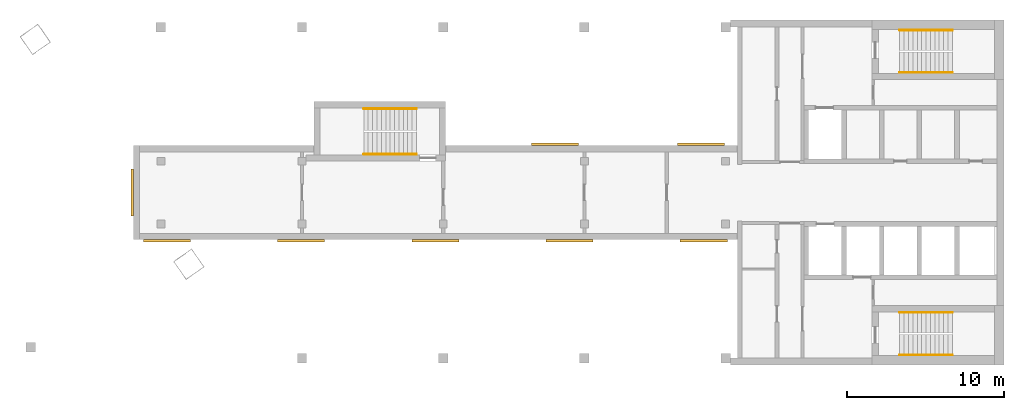
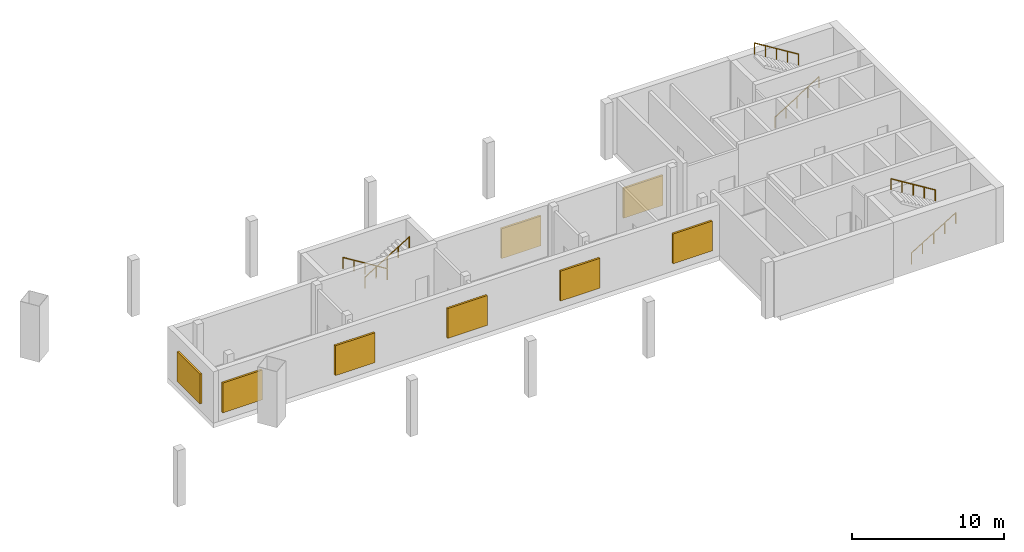
# One storey, part 4 of 4: 8 coverings, 6 railings.
"""IFC4 building model written with IfcOpenShell, lengths in metres."""

from ifc_helpers import new_model, si_unit, direction, frame, origin, origin_2d, place, context, subcontext, project, spatial, rectangle, circle, extrude, material, material_profile, profile_set, type_object, element, save


model = new_model("IFC4")

# Units and contexts
model_context = context("Model", 3, precision=1e-05, world=origin(), true_north=direction((0.0, 1.0)))
body_context = subcontext(model_context, "Body", "Model", "MODEL_VIEW")
ifc_project = project(units=[si_unit("LENGTHUNIT", "METRE"), si_unit("AREAUNIT", "SQUARE_METRE"), si_unit("VOLUMEUNIT", "CUBIC_METRE"), si_unit("PLANEANGLEUNIT", "RADIAN"), si_unit("MASSUNIT", "GRAM", prefix="KILO")], contexts=[model_context])

# Site, building, storey
site_placement = place(None, origin())
site = spatial("IfcSite", under=ifc_project, at=site_placement, CompositionType="ELEMENT")
building_placement = place(site_placement, origin())
building = spatial("IfcBuilding", under=site, at=building_placement, Name="Skarvind Civic Tower", CompositionType="ELEMENT")
storey_placement = place(building_placement, frame((0.0, 0.0, 282.0)))
storey = spatial("IfcBuildingStorey", under=building, at=storey_placement, Name="L67", CompositionType="ELEMENT", Elevation=282.0)

# Coverings
ifc_material_1 = material(Name="Anodised aluminium louvre", Category="aluminium")
ifc_material_profile = material_profile(ifc_material_1, rectangle(XDim=3.0, YDim=2.39990234375, at=origin_2d()), Name="LOUVRE 3000 x 2400")
ifc_profile_set = profile_set([ifc_material_profile], Name="Anodised aluminium louvre")
covering_type = type_object("IfcCoveringType", Name="LV1 PLANT LOUVRE 150", PredefinedType="CLADDING", material=ifc_profile_set)
for number, where, z_axis, x_axis, name in (
    (1, (52.5, 128.0, 1.89990234375), (-1.0, 0.0, 0.0), (0.0, -1.0, 0.0), "PLANT LOUVRE"),
    (2, (88.861083984375, 125.0, 1.89990234375), (0.0, -1.0, 0.0), (1.0, 0.0, 0.0), "PLANT LOUVRE"),
    (3, (80.305419921875, 125.0, 1.89990234375), (0.0, -1.0, 0.0), (1.0, 0.0, 0.0), "PLANT LOUVRE"),
    (4, (71.75, 125.0, 1.89990234375), (0.0, -1.0, 0.0), (1.0, 0.0, 0.0), "PLANT LOUVRE"),
    (5, (63.1943359375, 125.0, 1.89990234375), (0.0, -1.0, 0.0), (1.0, 0.0, 0.0), "PLANT LOUVRE"),
    (6, (54.638916015625, 125.0, 1.89990234375), (0.0, -1.0, 0.0), (1.0, 0.0, 0.0), "PLANT LOUVRE"),
    (7, (79.375, 131.0, 1.89990234375), (0.0, 1.0, 0.0), (-1.0, 0.0, 0.0), "PLANT LOUVRE"),
    (8, (88.675048828125, 131.0, 1.89990234375), (0.0, 1.0, 0.0), (-1.0, 0.0, 0.0), "PLANT LOUVRE"),
):
    element("IfcCovering", number, at=place(storey_placement, frame(where, z_axis=z_axis, x_axis=x_axis)), inside=storey, type_object=covering_type, Name=name, PredefinedType="CLADDING", context=body_context, shape_type="SweptSolid", body=[
        extrude(rectangle(XDim=3.0, YDim=2.39990234375, at=origin_2d()), origin(), (0.0, 0.0, 1.0), 0.14990234375),
    ])

# Railings
ifc_material_2 = material(Name="Painted steel handrail", Category="steel")
railing_type = type_object("IfcRailingType", Name="Stair handrail 900", PredefinedType="HANDRAIL", material=ifc_material_2)
railing_1_placement = place(storey_placement, frame((101.35009765625, 135.64990234375, 0.173095703125)))
element("IfcRailing", 9, at=railing_1_placement, inside=storey, type_object=railing_type, Name="Stair handrail", PredefinedType="HANDRAIL", context=body_context, shape_type="SweptSolid", body=[
    extrude(circle(Radius=0.02392578125, at=origin_2d()), frame((0.0, 0.0, 0.8759765625), z_axis=(0.850606129759, 0.0, 0.525803396734), x_axis=(0.0, 1.0, 0.0)), (0.0, 0.0, 1.0), 3.949951171875),
    extrude(circle(Radius=0.02099609375, at=origin_2d()), origin(), (0.0, 0.0, 1.0), 0.851806640625),
    extrude(circle(Radius=0.02099609375, at=origin_2d()), frame((0.83984375, 0.0, 0.519287109375)), (0.0, 0.0, 1.0), 0.851806640625),
    extrude(circle(Radius=0.02099609375, at=origin_2d()), frame((1.679931640625, 0.0, 1.03857421875)), (0.0, 0.0, 1.0), 0.851806640625),
    extrude(circle(Radius=0.02099609375, at=origin_2d()), frame((2.52001953125, 0.0, 1.5576171875)), (0.0, 0.0, 1.0), 0.851806640625),
    extrude(circle(Radius=0.02099609375, at=origin_2d()), frame((3.35986328125, 0.0, 2.076904296875)), (0.0, 0.0, 1.0), 0.851806640625),
])
railing_2_placement = place(storey_placement, frame((104.7099609375, 138.35009765625, 2.423095703125)))
element("IfcRailing", 10, at=railing_2_placement, inside=storey, type_object=railing_type, Name="Stair handrail", PredefinedType="HANDRAIL", context=body_context, shape_type="SweptSolid", body=[
    extrude(circle(Radius=0.02392578125, at=origin_2d()), frame((0.0, 0.0, 0.8759765625), z_axis=(-0.850606129759, 0.0, 0.525803396734), x_axis=(0.0, -1.0, 0.0)), (0.0, 0.0, 1.0), 3.949951171875),
    extrude(circle(Radius=0.02099609375, at=origin_2d()), origin(), (0.0, 0.0, 1.0), 0.851806640625),
    extrude(circle(Radius=0.02099609375, at=origin_2d()), frame((-0.83984375, 0.0, 0.519287109375)), (0.0, 0.0, 1.0), 0.851806640625),
    extrude(circle(Radius=0.02099609375, at=origin_2d()), frame((-1.679931640625, 0.0, 1.03857421875)), (0.0, 0.0, 1.0), 0.851806640625),
    extrude(circle(Radius=0.02099609375, at=origin_2d()), frame((-2.52001953125, 0.0, 1.5576171875)), (0.0, 0.0, 1.0), 0.851806640625),
    extrude(circle(Radius=0.02099609375, at=origin_2d()), frame((-3.35986328125, 0.0, 2.076904296875)), (0.0, 0.0, 1.0), 0.851806640625),
])
railing_3_placement = place(storey_placement, frame((101.35009765625, 117.64990234375, 0.173095703125)))
element("IfcRailing", 11, at=railing_3_placement, inside=storey, type_object=railing_type, Name="Stair handrail", PredefinedType="HANDRAIL", context=body_context, shape_type="SweptSolid", body=[
    extrude(circle(Radius=0.02392578125, at=origin_2d()), frame((0.0, 0.0, 0.8759765625), z_axis=(0.850606129759, 0.0, 0.525803396734), x_axis=(0.0, 1.0, 0.0)), (0.0, 0.0, 1.0), 3.949951171875),
    extrude(circle(Radius=0.02099609375, at=origin_2d()), origin(), (0.0, 0.0, 1.0), 0.851806640625),
    extrude(circle(Radius=0.02099609375, at=origin_2d()), frame((0.83984375, 0.0, 0.519287109375)), (0.0, 0.0, 1.0), 0.851806640625),
    extrude(circle(Radius=0.02099609375, at=origin_2d()), frame((1.679931640625, 0.0, 1.03857421875)), (0.0, 0.0, 1.0), 0.851806640625),
    extrude(circle(Radius=0.02099609375, at=origin_2d()), frame((2.52001953125, 0.0, 1.5576171875)), (0.0, 0.0, 1.0), 0.851806640625),
    extrude(circle(Radius=0.02099609375, at=origin_2d()), frame((3.35986328125, 0.0, 2.076904296875)), (0.0, 0.0, 1.0), 0.851806640625),
])
railing_4_placement = place(storey_placement, frame((104.7099609375, 120.35009765625, 2.423095703125)))
element("IfcRailing", 12, at=railing_4_placement, inside=storey, type_object=railing_type, Name="Stair handrail", PredefinedType="HANDRAIL", context=body_context, shape_type="SweptSolid", body=[
    extrude(circle(Radius=0.02392578125, at=origin_2d()), frame((0.0, 0.0, 0.8759765625), z_axis=(-0.850606129759, 0.0, 0.525803396734), x_axis=(0.0, -1.0, 0.0)), (0.0, 0.0, 1.0), 3.949951171875),
    extrude(circle(Radius=0.02099609375, at=origin_2d()), origin(), (0.0, 0.0, 1.0), 0.851806640625),
    extrude(circle(Radius=0.02099609375, at=origin_2d()), frame((-0.83984375, 0.0, 0.519287109375)), (0.0, 0.0, 1.0), 0.851806640625),
    extrude(circle(Radius=0.02099609375, at=origin_2d()), frame((-1.679931640625, 0.0, 1.03857421875)), (0.0, 0.0, 1.0), 0.851806640625),
    extrude(circle(Radius=0.02099609375, at=origin_2d()), frame((-2.52001953125, 0.0, 1.5576171875)), (0.0, 0.0, 1.0), 0.851806640625),
    extrude(circle(Radius=0.02099609375, at=origin_2d()), frame((-3.35986328125, 0.0, 2.076904296875)), (0.0, 0.0, 1.0), 0.851806640625),
])
railing_5_placement = place(storey_placement, frame((70.550048828125, 133.35009765625, 0.173095703125)))
element("IfcRailing", 13, at=railing_5_placement, inside=storey, type_object=railing_type, Name="Stair handrail", PredefinedType="HANDRAIL", context=body_context, shape_type="SweptSolid", body=[
    extrude(circle(Radius=0.02392578125, at=origin_2d()), frame((0.0, 0.0, 0.8759765625), z_axis=(-0.850623216509, 0.0, 0.525775754039), x_axis=(0.0, -1.0, 0.0)), (0.0, 0.0, 1.0), 3.9501953125),
    extrude(circle(Radius=0.02099609375, at=origin_2d()), origin(), (0.0, 0.0, 1.0), 0.851806640625),
    extrude(circle(Radius=0.02099609375, at=origin_2d()), frame((-0.840087890625, 0.0, 0.519287109375)), (0.0, 0.0, 1.0), 0.851806640625),
    extrude(circle(Radius=0.02099609375, at=origin_2d()), frame((-1.68017578125, 0.0, 1.03857421875)), (0.0, 0.0, 1.0), 0.851806640625),
    extrude(circle(Radius=0.02099609375, at=origin_2d()), frame((-2.52001953125, 0.0, 1.5576171875)), (0.0, 0.0, 1.0), 0.851806640625),
    extrude(circle(Radius=0.02099609375, at=origin_2d()), frame((-3.360107421875, 0.0, 2.076904296875)), (0.0, 0.0, 1.0), 0.851806640625),
])
railing_6_placement = place(storey_placement, frame((67.18994140625, 130.449951171875, 2.423095703125)))
element("IfcRailing", 14, at=railing_6_placement, inside=storey, type_object=railing_type, Name="Stair handrail", PredefinedType="HANDRAIL", context=body_context, shape_type="SweptSolid", body=[
    extrude(circle(Radius=0.02392578125, at=origin_2d()), frame((0.0, 0.0, 0.8759765625), z_axis=(0.850623216509, 0.0, 0.525775754039), x_axis=(0.0, 1.0, 0.0)), (0.0, 0.0, 1.0), 3.9501953125),
    extrude(circle(Radius=0.02099609375, at=origin_2d()), origin(), (0.0, 0.0, 1.0), 0.851806640625),
    extrude(circle(Radius=0.02099609375, at=origin_2d()), frame((0.840087890625, 0.0, 0.519287109375)), (0.0, 0.0, 1.0), 0.851806640625),
    extrude(circle(Radius=0.02099609375, at=origin_2d()), frame((1.68017578125, 0.0, 1.03857421875)), (0.0, 0.0, 1.0), 0.851806640625),
    extrude(circle(Radius=0.02099609375, at=origin_2d()), frame((2.52001953125, 0.0, 1.5576171875)), (0.0, 0.0, 1.0), 0.851806640625),
    extrude(circle(Radius=0.02099609375, at=origin_2d()), frame((3.360107421875, 0.0, 2.076904296875)), (0.0, 0.0, 1.0), 0.851806640625),
])

save(model, "model.ifc")
